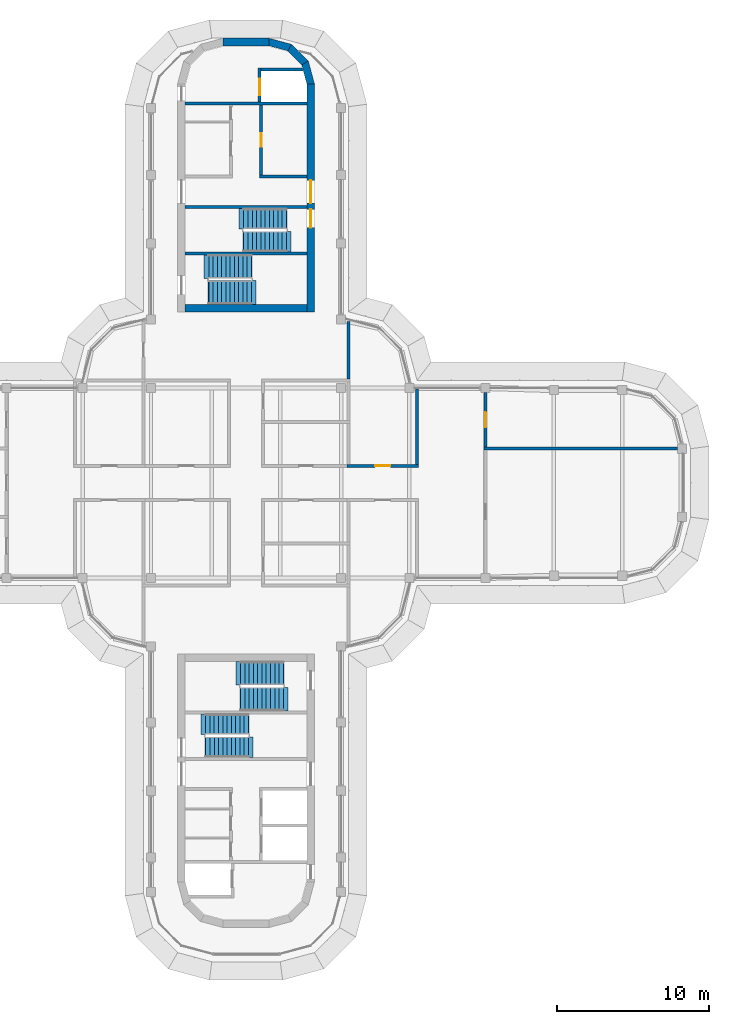
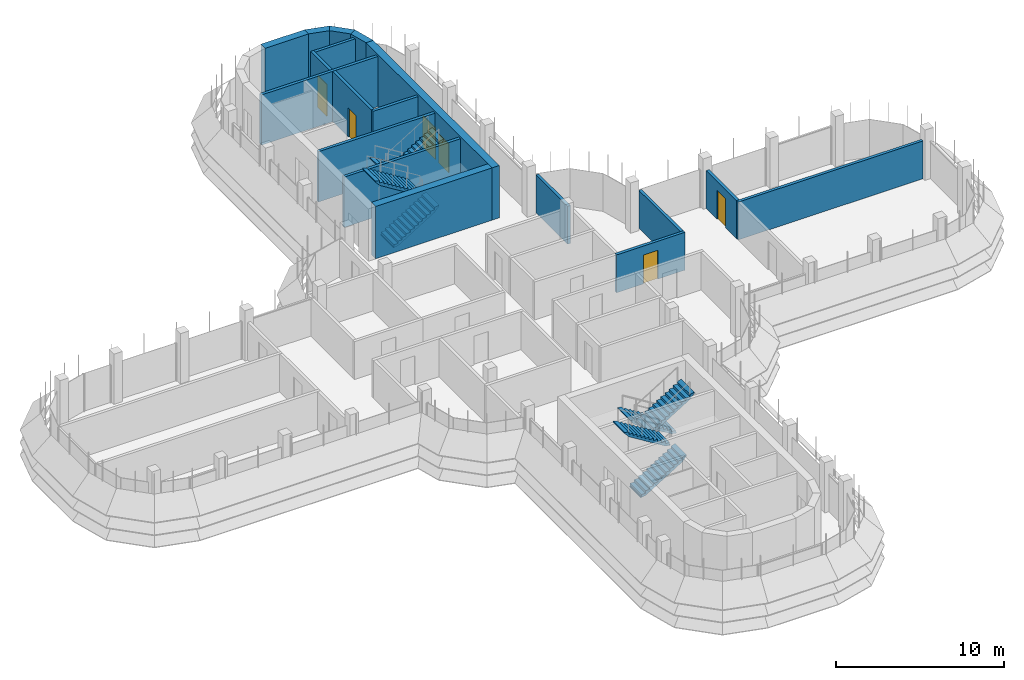
# One storey, part 15 of 19: 18 walls, 8 stair flights, 6 doors, 6 openings, 4 elements without a shape of their own.
"""IFC4 building model written with IfcOpenShell, lengths in metres."""

from ifc_helpers import new_model, si_unit, direction, frame, frame_2d, origin, place, context, subcontext, project, spatial, polyline, rectangle, outline, extrude, material, layer, layer_set, type_object, element, fill, aggregate, save


model = new_model("IFC4")

# Units and contexts
model_context = context("Model", 3, precision=1e-05, world=origin(), true_north=direction((0.0, 1.0)))
body_context = subcontext(model_context, "Body", "Model", "MODEL_VIEW")
ifc_project = project(units=[si_unit("LENGTHUNIT", "METRE"), si_unit("AREAUNIT", "SQUARE_METRE"), si_unit("VOLUMEUNIT", "CUBIC_METRE"), si_unit("PLANEANGLEUNIT", "RADIAN"), si_unit("MASSUNIT", "GRAM", prefix="KILO")], contexts=[model_context])

# Site, building, storey
site_placement = place(None, origin())
site = spatial("IfcSite", under=ifc_project, at=site_placement, CompositionType="ELEMENT")
building_placement = place(site_placement, origin())
building = spatial("IfcBuilding", under=site, at=building_placement, Name="Zarbagh Exchange Tower", CompositionType="ELEMENT")
storey_placement = place(building_placement, frame((0.0, 0.0, 272.60009765625)))
storey = spatial("IfcBuildingStorey", under=building, at=storey_placement, Name="L67", CompositionType="ELEMENT", Elevation=272.60009765625)

# Wall, opening, door
ifc_material_1 = material(Name="Fire-rated plasterboard partition")
ifc_layer_1 = layer(ifc_material_1, 0.199951171875)
ifc_layer_set_1 = layer_set([ifc_layer_1], Name="RATED PARTITION 200")
wall_type_1 = type_object("IfcWallType", Name="RATED PARTITION 200", PredefinedType="PARTITIONING", material=ifc_layer_set_1)
wall_1_placement = place(storey_placement, frame((6.64990234375, 1.125, 0.0), z_axis=(0.0, 0.0, 1.0), x_axis=(1.0, 0.0, 0.0)))
wall_1 = element("IfcWall", 1, at=wall_1_placement, inside=storey, type_object=wall_type_1, Name="Partition W-2802", PredefinedType="PARTITIONING", context=body_context, shape_type="SweptSolid", body=[
    extrude(rectangle(XDim=4.7001953125, YDim=0.199951171875, at=frame_2d((2.35009765625, 0.0))), origin(), (0.0, 0.0, 1.0), 2.75),
])
opening_1_placement = place(wall_1_placement, frame((1.85009765625, 0.0, 0.0)))
opening_1 = element("IfcOpeningElement", 2, at=opening_1_placement, cuts=wall_1, Name="Opening D-2805", PredefinedType="OPENING", context=body_context, shape_type="SweptSolid", body=[
    extrude(rectangle(XDim=1.0, YDim=2.10009765625, at=frame_2d((0.5, 1.050048828125))), frame((0.0, 0.10986328125, 0.0), z_axis=(0.0, -1.0, 0.0), x_axis=(1.0, 0.0, 0.0)), (0.0, 0.0, 1.0), 0.219970703125),
])
ifc_material_2 = material(Name="Steel door set", Category="steel")
door_type_1 = type_object("IfcDoorType", Name="FIRE DOOR 1000 X 2100 FD30S", OperationType="NOTDEFINED", PredefinedType="DOOR", material=ifc_material_2)
door_1_placement = place(opening_1_placement, origin())
door_1 = element("IfcDoor", 3, at=door_1_placement, inside=storey, type_object=door_type_1, Name="Door D-2805", OperationType="SINGLE_SWING_RIGHT", OverallHeight=2.10009765625, OverallWidth=1.0, PredefinedType="DOOR", context=body_context, shape_type="SweptSolid", body=[
    extrude(rectangle(XDim=1.0, YDim=2.10009765625, at=frame_2d((0.5, 1.050048828125))), frame((0.0, 0.02490234375, 0.0), z_axis=(0.0, -1.0, 0.0), x_axis=(1.0, 0.0, 0.0)), (0.0, 0.0, 1.0), 0.050048828125),
])
fill(opening_1, door_1)

# Walls
wall_2_placement = place(storey_placement, frame((6.75, 6.85009765625, 0.0), z_axis=(0.0, 0.0, 1.0), x_axis=(0.0, 1.0, 0.0)))
element("IfcWall", 4, at=wall_2_placement, inside=storey, type_object=wall_type_1, Name="Partition W-2816", PredefinedType="PARTITIONING", context=body_context, shape_type="SweptSolid", body=[
    extrude(rectangle(XDim=3.77978515625, YDim=0.199951171875, at=frame_2d((1.889892578125, 0.0))), origin(), (0.0, 0.0, 1.0), 2.75),
])
wall_3_placement = place(storey_placement, frame((11.25, 1.22509765625, 0.0), z_axis=(0.0, 0.0, 1.0), x_axis=(0.0, 1.0, 0.0)))
element("IfcWall", 5, at=wall_3_placement, inside=storey, type_object=wall_type_1, Name="Partition W-2826", PredefinedType="PARTITIONING", context=body_context, shape_type="SweptSolid", body=[
    extrude(rectangle(XDim=4.94482421875, YDim=0.199951171875, at=frame_2d((2.472412109375, 0.0))), origin(), (0.0, 0.0, 1.0), 2.75),
])

# Wall, opening, door
wall_4_placement = place(storey_placement, frame((15.75, 5.949951171875, 0.0), z_axis=(0.0, 0.0, 1.0), x_axis=(0.0, -1.0, 0.0)))
wall_4 = element("IfcWall", 6, at=wall_4_placement, inside=storey, type_object=wall_type_1, Name="Partition W-2837", PredefinedType="PARTITIONING", context=body_context, shape_type="SweptSolid", body=[
    extrude(rectangle(XDim=3.599853515625, YDim=0.199951171875, at=frame_2d((1.7998046875, 0.0))), origin(), (0.0, 0.0, 1.0), 2.75),
])
opening_2_placement = place(wall_4_placement, frame((1.300048828125, 0.0, 0.0)))
opening_2 = element("IfcOpeningElement", 7, at=opening_2_placement, cuts=wall_4, Name="Opening D-2802", PredefinedType="OPENING", context=body_context, shape_type="SweptSolid", body=[
    extrude(rectangle(XDim=1.0, YDim=2.10009765625, at=frame_2d((0.5, 1.050048828125))), frame((0.0, 0.10986328125, 0.0), z_axis=(0.0, -1.0, 0.0), x_axis=(1.0, 0.0, 0.0)), (0.0, 0.0, 1.0), 0.219970703125),
])
door_2_placement = place(opening_2_placement, origin())
door_2 = element("IfcDoor", 8, at=door_2_placement, inside=storey, type_object=door_type_1, Name="Door D-2802", OperationType="SINGLE_SWING_LEFT", OverallHeight=2.10009765625, OverallWidth=1.0, PredefinedType="DOOR", context=body_context, shape_type="SweptSolid", body=[
    extrude(rectangle(XDim=1.0, YDim=2.10009765625, at=frame_2d((0.5, 1.050048828125))), frame((0.0, 0.02490234375, 0.0), z_axis=(0.0, -1.0, 0.0), x_axis=(1.0, 0.0, 0.0)), (0.0, 0.0, 1.0), 0.050048828125),
])
fill(opening_2, door_2)

# Walls
wall_5_placement = place(storey_placement, frame((15.64990234375, 2.25, 0.0), z_axis=(0.0, 0.0, 1.0), x_axis=(1.0, 0.0, 0.0)))
element("IfcWall", 9, at=wall_5_placement, inside=storey, type_object=wall_type_1, Name="Partition W-2838", PredefinedType="PARTITIONING", context=body_context, shape_type="SweptSolid", body=[
    extrude(rectangle(XDim=12.72021484375, YDim=0.199951171875, at=frame_2d((6.360107421875, 0.0))), origin(), (0.0, 0.0, 1.0), 2.75),
])
ifc_material_3 = material(Name="Concrete C40/50", Category="concrete")
ifc_layer_2 = layer(ifc_material_3, 0.5)
ifc_layer_set_2 = layer_set([ifc_layer_2], Name="RC core corner wall 500 C40/50")
wall_type_2 = type_object("IfcWallType", Name="RC core corner wall 500 C40/50", PredefinedType="SHEAR", material=ifc_layer_set_2)
wall_6_placement = place(storey_placement, origin())
element("IfcWall", 10, at=wall_6_placement, inside=storey, type_object=wall_type_2, Name="CW10 core N corner E", PredefinedType="SHEAR", context=body_context, shape_type="SweptSolid", body=[
    extrude(outline(polyline([(4.5, 26.25), (4.09814453125, 27.75), (3.6650390625, 27.5), (4.0, 26.25), (4.5, 26.25)])), origin(), (0.0, 0.0, 1.0), 3.7998046875),
])
wall_7_placement = place(storey_placement, origin())
element("IfcWall", 11, at=wall_7_placement, inside=storey, type_object=wall_type_2, Name="CW10 core N corner E", PredefinedType="SHEAR", context=body_context, shape_type="SweptSolid", body=[
    extrude(outline(polyline([(4.09814453125, 27.75), (3.0, 28.84814453125), (2.75, 28.4150390625), (3.6650390625, 27.5), (4.09814453125, 27.75)])), origin(), (0.0, 0.0, 1.0), 3.7998046875),
])
wall_8_placement = place(storey_placement, origin())
element("IfcWall", 12, at=wall_8_placement, inside=storey, type_object=wall_type_2, Name="CW10 core N corner E", PredefinedType="SHEAR", context=body_context, shape_type="SweptSolid", body=[
    extrude(outline(polyline([(3.0, 28.84814453125), (1.5, 29.25), (1.5, 28.75), (2.75, 28.4150390625), (3.0, 28.84814453125)])), origin(), (0.0, 0.0, 1.0), 3.7998046875),
])

# Wall, openings, doors
ifc_layer_3 = layer(ifc_material_3, 0.5)
ifc_layer_set_3 = layer_set([ifc_layer_3], Name="RC core wall 500 C40/50")
wall_type_3 = type_object("IfcWallType", Name="RC core wall 500 C40/50", PredefinedType="SHEAR", material=ifc_layer_set_3)
wall_9_placement = place(storey_placement, frame((4.25, 11.25, 0.0), z_axis=(0.0, 0.0, 1.0), x_axis=(0.0, 1.0, 0.0)))
wall_9 = element("IfcWall", 13, at=wall_9_placement, inside=storey, type_object=wall_type_3, Name="CW9 core N E", PredefinedType="SHEAR", context=body_context, shape_type="SweptSolid", body=[
    extrude(rectangle(XDim=15.0, YDim=0.5, at=frame_2d((7.5, 0.0))), origin(), (0.0, 0.0, 1.0), 3.7998046875),
])
opening_3_placement = place(wall_9_placement, frame((7.14990234375, 0.0, 0.0)))
opening_3 = element("IfcOpeningElement", 14, at=opening_3_placement, cuts=wall_9, Name="Opening CD1-1500", PredefinedType="OPENING", context=body_context, shape_type="SweptSolid", body=[
    extrude(rectangle(XDim=1.5, YDim=2.300048828125, at=frame_2d((0.75, 1.14990234375))), frame((0.0, 0.260009765625, 0.0), z_axis=(0.0, -1.0, 0.0), x_axis=(1.0, 0.0, 0.0)), (0.0, 0.0, 1.0), 0.52001953125),
])
opening_4_placement = place(wall_9_placement, frame((5.550048828125, 0.0, 0.0)))
opening_4 = element("IfcOpeningElement", 15, at=opening_4_placement, cuts=wall_9, Name="Opening SD1-1200", PredefinedType="OPENING", context=body_context, shape_type="SweptSolid", body=[
    extrude(rectangle(XDim=1.199951171875, YDim=2.10009765625, at=frame_2d((0.60009765625, 1.050048828125))), frame((0.0, 0.260009765625, 0.0), z_axis=(0.0, -1.0, 0.0), x_axis=(1.0, 0.0, 0.0)), (0.0, 0.0, 1.0), 0.52001953125),
])
ifc_material_4 = material(Name="Steel", Category="steel")
door_type_2 = type_object("IfcDoorType", Name="Exit stair door 1200 x 2100", OperationType="NOTDEFINED", PredefinedType="DOOR", material=ifc_material_4)
door_3_placement = place(opening_4_placement, origin())
door_3 = element("IfcDoor", 16, at=door_3_placement, inside=storey, type_object=door_type_2, Name="North core stair door ST1", OperationType="SINGLE_SWING_LEFT", OverallHeight=2.10009765625, OverallWidth=1.199951171875, PredefinedType="DOOR", context=body_context, shape_type="SweptSolid", body=[
    extrude(rectangle(XDim=1.199951171875, YDim=2.10009765625, at=frame_2d((0.60009765625, 1.050048828125))), frame((0.0, 0.02490234375, 0.0), z_axis=(0.0, -1.0, 0.0), x_axis=(1.0, 0.0, 0.0)), (0.0, 0.0, 1.0), 0.050048828125),
])
fill(opening_4, door_3)
door_type_3 = type_object("IfcDoorType", Name="Lift lobby double door 1500 x 2300", OperationType="NOTDEFINED", PredefinedType="DOOR", material=ifc_material_4)
door_4_placement = place(opening_3_placement, origin())
door_4 = element("IfcDoor", 17, at=door_4_placement, inside=storey, type_object=door_type_3, Name="North core lift lobby door LOBBY-E", OperationType="DOUBLE_DOOR_SINGLE_SWING", OverallHeight=2.300048828125, OverallWidth=1.5, PredefinedType="DOOR", context=body_context, shape_type="SweptSolid", body=[
    extrude(rectangle(XDim=1.5, YDim=2.300048828125, at=frame_2d((0.75, 1.14990234375))), frame((0.0, 0.02490234375, 0.0), z_axis=(0.0, -1.0, 0.0), x_axis=(1.0, 0.0, 0.0)), (0.0, 0.0, 1.0), 0.050048828125),
])
fill(opening_3, door_4)

# Walls
wall_10_placement = place(storey_placement, frame((-4.0, 11.5, 0.0), z_axis=(0.0, 0.0, 1.0), x_axis=(1.0, 0.0, 0.0)))
element("IfcWall", 18, at=wall_10_placement, inside=storey, type_object=wall_type_3, Name="CW9 core N inner end", PredefinedType="SHEAR", context=body_context, shape_type="SweptSolid", body=[
    extrude(rectangle(XDim=8.0, YDim=0.5, at=frame_2d((4.0, 0.0))), origin(), (0.0, 0.0, 1.0), 3.7998046875),
])
wall_11_placement = place(storey_placement, frame((-1.5, 29.0, 0.0), z_axis=(0.0, 0.0, 1.0), x_axis=(1.0, 0.0, 0.0)))
element("IfcWall", 19, at=wall_11_placement, inside=storey, type_object=wall_type_3, Name="CW9 core N outer end", PredefinedType="SHEAR", context=body_context, shape_type="SweptSolid", body=[
    extrude(rectangle(XDim=3.0, YDim=0.5, at=frame_2d((1.5, 0.0))), origin(), (0.0, 0.0, 1.0), 3.7998046875),
])
ifc_material_5 = material(Name="Dense blockwork", Category="masonry")
ifc_layer_4 = layer(ifc_material_5, 0.199951171875)
ifc_layer_set_4 = layer_set([ifc_layer_4], Name="Shaft wall 200 mm blockwork")
wall_type_4 = type_object("IfcWallType", Name="Shaft wall 200 mm blockwork", PredefinedType="PARTITIONING", material=ifc_layer_set_4)
wall_12_placement = place(storey_placement, frame((0.89990234375, 20.14990234375, 0.0), z_axis=(0.0, 0.0, 1.0), x_axis=(1.0, 0.0, 0.0)))
element("IfcWall", 20, at=wall_12_placement, inside=storey, type_object=wall_type_4, Name="North core shaft wall AB-E", PredefinedType="PARTITIONING", context=body_context, shape_type="SweptSolid", body=[
    extrude(rectangle(XDim=3.10009765625, YDim=0.199951171875, at=frame_2d((1.550048828125, 0.0))), origin(), (0.0, 0.0, 1.0), 3.64990234375),
])

# Wall, opening, door
wall_13_placement = place(storey_placement, frame((1.0, 24.85009765625, 0.0), z_axis=(0.0, 0.0, 1.0), x_axis=(0.0, -1.0, 0.0)))
wall_13 = element("IfcWall", 21, at=wall_13_placement, inside=storey, type_object=wall_type_4, Name="North core shaft wall LW-E", PredefinedType="PARTITIONING", context=body_context, shape_type="SweptSolid", body=[
    extrude(rectangle(XDim=4.60009765625, YDim=0.199951171875, at=frame_2d((2.300048828125, 0.0))), origin(), (0.0, 0.0, 1.0), 3.64990234375),
])
opening_5_placement = place(wall_13_placement, frame((1.85009765625, 0.0, 0.0)))
opening_5 = element("IfcOpeningElement", 22, at=opening_5_placement, cuts=wall_13, Name="Opening CD3-900", PredefinedType="OPENING", context=body_context, shape_type="SweptSolid", body=[
    extrude(rectangle(XDim=0.89990234375, YDim=2.10009765625, at=frame_2d((0.449951171875, 1.050048828125))), frame((0.0, 0.10986328125, 0.0), z_axis=(0.0, -1.0, 0.0), x_axis=(1.0, 0.0, 0.0)), (0.0, 0.0, 1.0), 0.219970703125),
])
door_type_4 = type_object("IfcDoorType", Name="Core room door 900 x 2100", OperationType="NOTDEFINED", PredefinedType="DOOR", material=ifc_material_4)
door_5_placement = place(opening_5_placement, origin())
door_5 = element("IfcDoor", 23, at=door_5_placement, inside=storey, type_object=door_type_4, Name="North core Riser store door RD-E-0", OperationType="SINGLE_SWING_RIGHT", OverallHeight=2.10009765625, OverallWidth=0.89990234375, PredefinedType="DOOR", context=body_context, shape_type="SweptSolid", body=[
    extrude(rectangle(XDim=0.89990234375, YDim=2.10009765625, at=frame_2d((0.449951171875, 1.050048828125))), frame((0.0, 0.02490234375, 0.0), z_axis=(0.0, -1.0, 0.0), x_axis=(1.0, 0.0, 0.0)), (0.0, 0.0, 1.0), 0.050048828125),
])
fill(opening_5, door_5)

# Wall
ifc_layer_5 = layer(ifc_material_3, 0.199951171875)
ifc_layer_set_5 = layer_set([ifc_layer_5], Name="Stair enclosure wall 200 mm RC C40/50")
wall_type_5 = type_object("IfcWallType", Name="Stair enclosure wall 200 mm RC C40/50", PredefinedType="SHEAR", material=ifc_layer_set_5)
wall_14_placement = place(storey_placement, frame((-4.0, 24.949951171875, 0.0), z_axis=(0.0, 0.0, 1.0), x_axis=(1.0, 0.0, 0.0)))
element("IfcWall", 24, at=wall_14_placement, inside=storey, type_object=wall_type_5, Name="North core lift shaft wall FFA", PredefinedType="SHEAR", context=body_context, shape_type="SweptSolid", body=[
    extrude(rectangle(XDim=8.0, YDim=0.199951171875, at=frame_2d((4.0, 0.0))), origin(), (0.0, 0.0, 1.0), 3.64990234375),
])

# Wall, opening, door
wall_15_placement = place(storey_placement, frame((0.89990234375, 27.300048828125, 0.0), z_axis=(0.0, 0.0, 1.0), x_axis=(0.0, -1.0, 0.0)))
wall_15 = element("IfcWall", 25, at=wall_15_placement, inside=storey, type_object=wall_type_5, Name="North core lift shaft wall FFL", PredefinedType="SHEAR", context=body_context, shape_type="SweptSolid", body=[
    extrude(rectangle(XDim=2.25, YDim=0.199951171875, at=frame_2d((1.125, 0.0))), origin(), (0.0, 0.0, 1.0), 3.64990234375),
])
opening_6_placement = place(wall_15_placement, frame((0.699951171875, 0.0, 0.0)))
opening_6 = element("IfcOpeningElement", 26, at=opening_6_placement, cuts=wall_15, Name="Opening LD-1100", PredefinedType="OPENING", context=body_context, shape_type="SweptSolid", body=[
    extrude(rectangle(XDim=1.10009765625, YDim=2.300048828125, at=frame_2d((0.550048828125, 1.14990234375))), frame((0.0, 0.10986328125, 0.0), z_axis=(0.0, -1.0, 0.0), x_axis=(1.0, 0.0, 0.0)), (0.0, 0.0, 1.0), 0.219970703125),
])
ifc_material_6 = material(Name="Stainless steel", Category="steel")
door_type_5 = type_object("IfcDoorType", Name="Lift landing door 1100 x 2300", OperationType="NOTDEFINED", PredefinedType="DOOR", material=ifc_material_6)
door_6_placement = place(opening_6_placement, origin())
door_6 = element("IfcDoor", 27, at=door_6_placement, inside=storey, type_object=door_type_5, Name="North core lift landing door LD-F", OperationType="DOUBLE_DOOR_SLIDING", OverallHeight=2.300048828125, OverallWidth=1.10009765625, PredefinedType="DOOR", context=body_context, shape_type="SweptSolid", body=[
    extrude(rectangle(XDim=1.10009765625, YDim=2.300048828125, at=frame_2d((0.550048828125, 1.14990234375))), frame((0.0, 0.02490234375, 0.0), z_axis=(0.0, -1.0, 0.0), x_axis=(1.0, 0.0, 0.0)), (0.0, 0.0, 1.0), 0.050048828125),
])
fill(opening_6, door_6)

# Walls
wall_16_placement = place(storey_placement, origin())
element("IfcWall", 28, at=wall_16_placement, inside=storey, type_object=wall_type_5, Name="North core lift shaft wall FFX", PredefinedType="SHEAR", context=body_context, shape_type="SweptSolid", body=[
    extrude(outline(polyline([(1.0, 27.10009765625), (3.754638671875, 27.10009765625), (3.700927734375, 27.300048828125), (1.0, 27.300048828125), (1.0, 27.10009765625)])), origin(), (0.0, 0.0, 1.0), 3.64990234375),
])
for number, where, z_axis, x_axis, name in (
    (29, (-4.0, 18.14990234375, 0.0), (0.0, 0.0, 1.0), (1.0, 0.0, 0.0), "North core stair wall BS"),
    (30, (-4.0, 15.10009765625, 0.0), (0.0, 0.0, 1.0), (1.0, 0.0, 0.0), "North core stair wall ST12"),
):
    element("IfcWall", number, at=place(storey_placement, frame(where, z_axis=z_axis, x_axis=x_axis)), inside=storey, type_object=wall_type_5, Name=name, PredefinedType="SHEAR", context=body_context, shape_type="SweptSolid", body=[
        extrude(rectangle(XDim=8.0, YDim=0.199951171875, at=frame_2d((4.0, 0.0))), origin(), (0.0, 0.0, 1.0), 3.64990234375),
    ])

# Stair, stair flights
stair_type = type_object("IfcStairType", Name="Exit stair two-flight half-turn", PredefinedType="HALF_TURN_STAIR", material=ifc_material_3)
stair_1_placement = place(storey_placement, origin())
stair_1 = element("IfcStair", 31, at=stair_1_placement, inside=storey, type_object=stair_type, Name="exit stair ST1", PredefinedType="HALF_TURN_STAIR")
stair_flight_type_1 = type_object("IfcStairFlightType", Name="Stair flight 1350 mm", PredefinedType="STRAIGHT", material=ifc_material_3)
stair_flight_1_placement = place(storey_placement, frame((2.64990234375, 17.375, 0.0), z_axis=(0.0, 0.0, 1.0), x_axis=(-1.0, 0.0, 0.0)))
stair_flight_1 = element("IfcStairFlight", 32, at=stair_flight_1_placement, type_object=stair_flight_type_1, Name="ST1 flight 1", NumberOfRisers=11, NumberOfTreads=10, PredefinedType="STRAIGHT", RiserHeight=0.172727273, TreadLength=0.28, context=body_context, shape_type="SweptSolid", body=[
    extrude(outline(polyline([(-0.050048828125, -0.050048828125), (-0.050048828125, 0.0), (0.0, 0.0), (0.0, 0.172607421875), (0.280029296875, 0.172607421875), (0.280029296875, 0.345458984375), (0.56005859375, 0.345458984375), (0.56005859375, 0.51806640625), (0.840087890625, 0.51806640625), (0.840087890625, 0.69091796875), (1.1201171875, 0.69091796875), (1.1201171875, 0.863525390625), (1.39990234375, 0.863525390625), (1.39990234375, 1.036376953125), (1.679931640625, 1.036376953125), (1.679931640625, 1.208984375), (1.9599609375, 1.208984375), (1.9599609375, 1.3818359375), (2.239990234375, 1.3818359375), (2.239990234375, 1.554443359375), (2.52001953125, 1.554443359375), (2.52001953125, 1.727294921875), (2.800048828125, 1.727294921875), (2.800048828125, 1.89990234375), (3.10009765625, 1.97998046875), (3.10009765625, 1.89990234375), (2.800048828125, 1.551025390625), (0.285400390625, 0.0), (-0.050048828125, -0.050048828125)])), frame((0.0, 0.675048828125, 0.0), z_axis=(0.0, -1.0, 0.0), x_axis=(1.0, 0.0, 0.0)), (0.0, 0.0, 1.0), 1.35009765625),
])
stair_flight_2_placement = place(storey_placement, frame((-0.14990234375, 15.875, 1.89990234375), z_axis=(0.0, 0.0, 1.0), x_axis=(1.0, 0.0, 0.0)))
stair_flight_2 = element("IfcStairFlight", 33, at=stair_flight_2_placement, type_object=stair_flight_type_1, Name="ST1 flight 2", NumberOfRisers=11, NumberOfTreads=10, PredefinedType="STRAIGHT", RiserHeight=0.172727273, TreadLength=0.28, context=body_context, shape_type="SweptSolid", body=[
    extrude(outline(polyline([(-0.050048828125, -0.050048828125), (-0.050048828125, 0.0), (0.0, 0.0), (0.0, 0.172607421875), (0.280029296875, 0.172607421875), (0.280029296875, 0.345458984375), (0.56005859375, 0.345458984375), (0.56005859375, 0.51806640625), (0.840087890625, 0.51806640625), (0.840087890625, 0.69091796875), (1.1201171875, 0.69091796875), (1.1201171875, 0.863525390625), (1.39990234375, 0.863525390625), (1.39990234375, 1.036376953125), (1.679931640625, 1.036376953125), (1.679931640625, 1.208984375), (1.9599609375, 1.208984375), (1.9599609375, 1.3818359375), (2.239990234375, 1.3818359375), (2.239990234375, 1.554443359375), (2.52001953125, 1.554443359375), (2.52001953125, 1.727294921875), (2.800048828125, 1.727294921875), (2.800048828125, 1.89990234375), (3.10009765625, 1.97998046875), (3.10009765625, 1.89990234375), (2.800048828125, 1.551025390625), (0.285400390625, 0.0), (-0.050048828125, -0.050048828125)])), frame((0.0, 0.675048828125, 0.0), z_axis=(0.0, -1.0, 0.0), x_axis=(1.0, 0.0, 0.0)), (0.0, 0.0, 1.0), 1.35009765625),
])
aggregate(stair_1, [stair_flight_1, stair_flight_2])

stair_2_placement = place(storey_placement, origin())
stair_2 = element("IfcStair", 34, at=stair_2_placement, inside=storey, type_object=stair_type, Name="exit stair ST3", PredefinedType="HALF_TURN_STAIR")
stair_flight_3_placement = place(storey_placement, frame((-2.64990234375, -17.375, 0.0), z_axis=(0.0, 0.0, 1.0), x_axis=(1.0, 0.0, 0.0)))
stair_flight_3 = element("IfcStairFlight", 35, at=stair_flight_3_placement, type_object=stair_flight_type_1, Name="ST3 flight 1", NumberOfRisers=11, NumberOfTreads=10, PredefinedType="STRAIGHT", RiserHeight=0.172727273, TreadLength=0.28, context=body_context, shape_type="SweptSolid", body=[
    extrude(outline(polyline([(-0.050048828125, -0.050048828125), (-0.050048828125, 0.0), (0.0, 0.0), (0.0, 0.172607421875), (0.280029296875, 0.172607421875), (0.280029296875, 0.345458984375), (0.56005859375, 0.345458984375), (0.56005859375, 0.51806640625), (0.840087890625, 0.51806640625), (0.840087890625, 0.69091796875), (1.1201171875, 0.69091796875), (1.1201171875, 0.863525390625), (1.39990234375, 0.863525390625), (1.39990234375, 1.036376953125), (1.679931640625, 1.036376953125), (1.679931640625, 1.208984375), (1.9599609375, 1.208984375), (1.9599609375, 1.3818359375), (2.239990234375, 1.3818359375), (2.239990234375, 1.554443359375), (2.52001953125, 1.554443359375), (2.52001953125, 1.727294921875), (2.800048828125, 1.727294921875), (2.800048828125, 1.89990234375), (3.10009765625, 1.97998046875), (3.10009765625, 1.89990234375), (2.800048828125, 1.551025390625), (0.285400390625, 0.0), (-0.050048828125, -0.050048828125)])), frame((0.0, 0.675048828125, 0.0), z_axis=(0.0, -1.0, 0.0), x_axis=(1.0, 0.0, 0.0)), (0.0, 0.0, 1.0), 1.35009765625),
])
stair_flight_4_placement = place(storey_placement, frame((0.14990234375, -15.875, 1.89990234375), z_axis=(0.0, 0.0, 1.0), x_axis=(-1.0, 0.0, 0.0)))
stair_flight_4 = element("IfcStairFlight", 36, at=stair_flight_4_placement, type_object=stair_flight_type_1, Name="ST3 flight 2", NumberOfRisers=11, NumberOfTreads=10, PredefinedType="STRAIGHT", RiserHeight=0.172727273, TreadLength=0.28, context=body_context, shape_type="SweptSolid", body=[
    extrude(outline(polyline([(-0.050048828125, -0.050048828125), (-0.050048828125, 0.0), (0.0, 0.0), (0.0, 0.172607421875), (0.280029296875, 0.172607421875), (0.280029296875, 0.345458984375), (0.56005859375, 0.345458984375), (0.56005859375, 0.51806640625), (0.840087890625, 0.51806640625), (0.840087890625, 0.69091796875), (1.1201171875, 0.69091796875), (1.1201171875, 0.863525390625), (1.39990234375, 0.863525390625), (1.39990234375, 1.036376953125), (1.679931640625, 1.036376953125), (1.679931640625, 1.208984375), (1.9599609375, 1.208984375), (1.9599609375, 1.3818359375), (2.239990234375, 1.3818359375), (2.239990234375, 1.554443359375), (2.52001953125, 1.554443359375), (2.52001953125, 1.727294921875), (2.800048828125, 1.727294921875), (2.800048828125, 1.89990234375), (3.10009765625, 1.97998046875), (3.10009765625, 1.89990234375), (2.800048828125, 1.551025390625), (0.285400390625, 0.0), (-0.050048828125, -0.050048828125)])), frame((0.0, 0.675048828125, 0.0), z_axis=(0.0, -1.0, 0.0), x_axis=(1.0, 0.0, 0.0)), (0.0, 0.0, 1.0), 1.35009765625),
])
aggregate(stair_2, [stair_flight_3, stair_flight_4])

stair_3_placement = place(storey_placement, origin())
stair_3 = element("IfcStair", 37, at=stair_3_placement, inside=storey, type_object=stair_type, Name="exit stair ST2", PredefinedType="HALF_TURN_STAIR")
stair_flight_type_2 = type_object("IfcStairFlightType", Name="Stair flight 1550 mm", PredefinedType="STRAIGHT", material=ifc_material_3)
stair_flight_5_placement = place(storey_placement, frame((-2.449951171875, 12.52490234375, 0.0), z_axis=(0.0, 0.0, 1.0), x_axis=(1.0, 0.0, 0.0)))
stair_flight_5 = element("IfcStairFlight", 38, at=stair_flight_5_placement, type_object=stair_flight_type_2, Name="ST2 flight 1", NumberOfRisers=11, NumberOfTreads=10, PredefinedType="STRAIGHT", RiserHeight=0.172727273, TreadLength=0.28, context=body_context, shape_type="SweptSolid", body=[
    extrude(outline(polyline([(-0.050048828125, -0.050048828125), (-0.050048828125, 0.0), (0.0, 0.0), (0.0, 0.172607421875), (0.280029296875, 0.172607421875), (0.280029296875, 0.345458984375), (0.56005859375, 0.345458984375), (0.56005859375, 0.51806640625), (0.840087890625, 0.51806640625), (0.840087890625, 0.69091796875), (1.1201171875, 0.69091796875), (1.1201171875, 0.863525390625), (1.39990234375, 0.863525390625), (1.39990234375, 1.036376953125), (1.679931640625, 1.036376953125), (1.679931640625, 1.208984375), (1.9599609375, 1.208984375), (1.9599609375, 1.3818359375), (2.239990234375, 1.3818359375), (2.239990234375, 1.554443359375), (2.52001953125, 1.554443359375), (2.52001953125, 1.727294921875), (2.800048828125, 1.727294921875), (2.800048828125, 1.89990234375), (3.10009765625, 1.97998046875), (3.10009765625, 1.89990234375), (2.800048828125, 1.551025390625), (0.285400390625, 0.0), (-0.050048828125, -0.050048828125)])), frame((0.0, 0.77490234375, 0.0), z_axis=(0.0, -1.0, 0.0), x_axis=(1.0, 0.0, 0.0)), (0.0, 0.0, 1.0), 1.550048828125),
])
stair_flight_6_placement = place(storey_placement, frame((0.35009765625, 14.22509765625, 1.89990234375), z_axis=(0.0, 0.0, 1.0), x_axis=(-1.0, 0.0, 0.0)))
stair_flight_6 = element("IfcStairFlight", 39, at=stair_flight_6_placement, type_object=stair_flight_type_2, Name="ST2 flight 2", NumberOfRisers=11, NumberOfTreads=10, PredefinedType="STRAIGHT", RiserHeight=0.172727273, TreadLength=0.28, context=body_context, shape_type="SweptSolid", body=[
    extrude(outline(polyline([(-0.050048828125, -0.050048828125), (-0.050048828125, 0.0), (0.0, 0.0), (0.0, 0.172607421875), (0.280029296875, 0.172607421875), (0.280029296875, 0.345458984375), (0.56005859375, 0.345458984375), (0.56005859375, 0.51806640625), (0.840087890625, 0.51806640625), (0.840087890625, 0.69091796875), (1.1201171875, 0.69091796875), (1.1201171875, 0.863525390625), (1.39990234375, 0.863525390625), (1.39990234375, 1.036376953125), (1.679931640625, 1.036376953125), (1.679931640625, 1.208984375), (1.9599609375, 1.208984375), (1.9599609375, 1.3818359375), (2.239990234375, 1.3818359375), (2.239990234375, 1.554443359375), (2.52001953125, 1.554443359375), (2.52001953125, 1.727294921875), (2.800048828125, 1.727294921875), (2.800048828125, 1.89990234375), (3.10009765625, 1.97998046875), (3.10009765625, 1.89990234375), (2.800048828125, 1.551025390625), (0.285400390625, 0.0), (-0.050048828125, -0.050048828125)])), frame((0.0, 0.77490234375, 0.0), z_axis=(0.0, -1.0, 0.0), x_axis=(1.0, 0.0, 0.0)), (0.0, 0.0, 1.0), 1.550048828125),
])
aggregate(stair_3, [stair_flight_5, stair_flight_6])

stair_4_placement = place(storey_placement, origin())
stair_4 = element("IfcStair", 40, at=stair_4_placement, inside=storey, type_object=stair_type, Name="exit stair ST4", PredefinedType="HALF_TURN_STAIR")
stair_flight_7_placement = place(storey_placement, frame((2.449951171875, -12.52490234375, 0.0), z_axis=(0.0, 0.0, 1.0), x_axis=(-1.0, 0.0, 0.0)))
stair_flight_7 = element("IfcStairFlight", 41, at=stair_flight_7_placement, type_object=stair_flight_type_2, Name="ST4 flight 1", NumberOfRisers=11, NumberOfTreads=10, PredefinedType="STRAIGHT", RiserHeight=0.172727273, TreadLength=0.28, context=body_context, shape_type="SweptSolid", body=[
    extrude(outline(polyline([(-0.050048828125, -0.050048828125), (-0.050048828125, 0.0), (0.0, 0.0), (0.0, 0.172607421875), (0.280029296875, 0.172607421875), (0.280029296875, 0.345458984375), (0.56005859375, 0.345458984375), (0.56005859375, 0.51806640625), (0.840087890625, 0.51806640625), (0.840087890625, 0.69091796875), (1.1201171875, 0.69091796875), (1.1201171875, 0.863525390625), (1.39990234375, 0.863525390625), (1.39990234375, 1.036376953125), (1.679931640625, 1.036376953125), (1.679931640625, 1.208984375), (1.9599609375, 1.208984375), (1.9599609375, 1.3818359375), (2.239990234375, 1.3818359375), (2.239990234375, 1.554443359375), (2.52001953125, 1.554443359375), (2.52001953125, 1.727294921875), (2.800048828125, 1.727294921875), (2.800048828125, 1.89990234375), (3.10009765625, 1.97998046875), (3.10009765625, 1.89990234375), (2.800048828125, 1.551025390625), (0.285400390625, 0.0), (-0.050048828125, -0.050048828125)])), frame((0.0, 0.77490234375, 0.0), z_axis=(0.0, -1.0, 0.0), x_axis=(1.0, 0.0, 0.0)), (0.0, 0.0, 1.0), 1.550048828125),
])
stair_flight_8_placement = place(storey_placement, frame((-0.35009765625, -14.22509765625, 1.89990234375), z_axis=(0.0, 0.0, 1.0), x_axis=(1.0, 0.0, 0.0)))
stair_flight_8 = element("IfcStairFlight", 42, at=stair_flight_8_placement, type_object=stair_flight_type_2, Name="ST4 flight 2", NumberOfRisers=11, NumberOfTreads=10, PredefinedType="STRAIGHT", RiserHeight=0.172727273, TreadLength=0.28, context=body_context, shape_type="SweptSolid", body=[
    extrude(outline(polyline([(-0.050048828125, -0.050048828125), (-0.050048828125, 0.0), (0.0, 0.0), (0.0, 0.172607421875), (0.280029296875, 0.172607421875), (0.280029296875, 0.345458984375), (0.56005859375, 0.345458984375), (0.56005859375, 0.51806640625), (0.840087890625, 0.51806640625), (0.840087890625, 0.69091796875), (1.1201171875, 0.69091796875), (1.1201171875, 0.863525390625), (1.39990234375, 0.863525390625), (1.39990234375, 1.036376953125), (1.679931640625, 1.036376953125), (1.679931640625, 1.208984375), (1.9599609375, 1.208984375), (1.9599609375, 1.3818359375), (2.239990234375, 1.3818359375), (2.239990234375, 1.554443359375), (2.52001953125, 1.554443359375), (2.52001953125, 1.727294921875), (2.800048828125, 1.727294921875), (2.800048828125, 1.89990234375), (3.10009765625, 1.97998046875), (3.10009765625, 1.89990234375), (2.800048828125, 1.551025390625), (0.285400390625, 0.0), (-0.050048828125, -0.050048828125)])), frame((0.0, 0.77490234375, 0.0), z_axis=(0.0, -1.0, 0.0), x_axis=(1.0, 0.0, 0.0)), (0.0, 0.0, 1.0), 1.550048828125),
])
aggregate(stair_4, [stair_flight_7, stair_flight_8])

save(model, "model.ifc")
